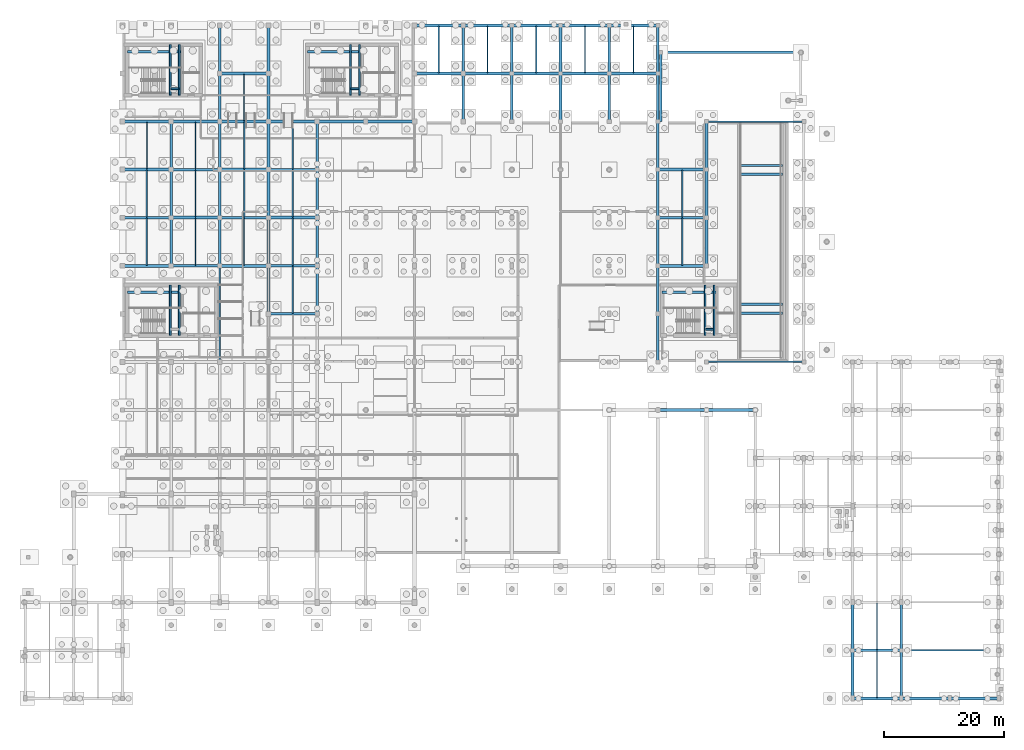
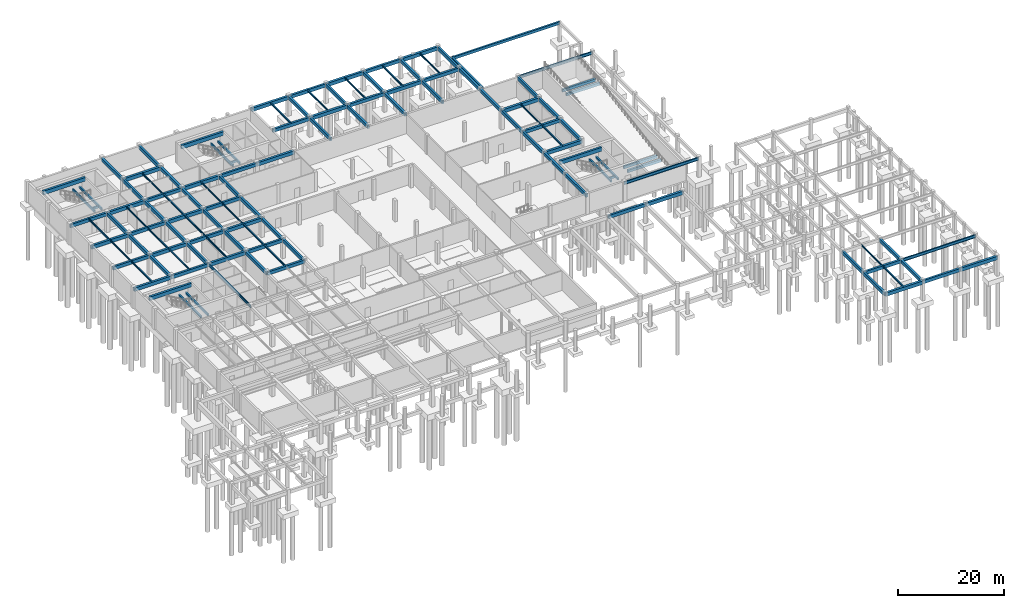
# One storey, part 12 of 25: 127 beams.
"""IFC4 building model written with IfcOpenShell, lengths in metres."""

from ifc_helpers import new_model, si_unit, direction, frame, origin, origin_2d, place, context, subcontext, project, spatial, rectangle, i_section, extrude, material, material_profile, profile_set, type_object, element, save


model = new_model("IFC4")

# Units and contexts
model_context = context("Model", 3, precision=1e-05, world=origin(), true_north=direction((0.0, 1.0)))
body_context = subcontext(model_context, "Body", "Model", "MODEL_VIEW")
ifc_project = project(units=[si_unit("LENGTHUNIT", "METRE"), si_unit("AREAUNIT", "SQUARE_METRE"), si_unit("VOLUMEUNIT", "CUBIC_METRE"), si_unit("PLANEANGLEUNIT", "RADIAN"), si_unit("MASSUNIT", "GRAM", prefix="KILO")], contexts=[model_context])

# Site, building, storey
site_placement = place(None, origin())
site = spatial("IfcSite", under=ifc_project, at=site_placement, CompositionType="ELEMENT")
building_placement = place(site_placement, origin())
building = spatial("IfcBuilding", under=site, at=building_placement, Name="Tarnveldt Square Police Headquarters", CompositionType="ELEMENT")
storey_placement = place(building_placement, frame((0.0, 0.0, -4.800048828125)))
storey = spatial("IfcBuildingStorey", under=building, at=storey_placement, Name="B1", CompositionType="ELEMENT", Elevation=-4.800048828125)

# Beams
ifc_material_1 = material(Name="Concrete 50 MPa", Category="concrete")
ifc_material_profile_1 = material_profile(ifc_material_1, rectangle(XDim=0.449951171875, YDim=0.85009765625, at=origin_2d()), Name="RC-CB450x850")
ifc_profile_set_1 = profile_set([ifc_material_profile_1], Name="Concrete 50 MPa")
beam_type_1 = type_object("IfcBeamType", Name="BM-CB450x850", PredefinedType="BEAM", material=ifc_profile_set_1)
for number, where, z_axis, x_axis, name in (
    (1, (17.0, 67.60009765625, 4.375), (1.0, 0.0, 0.0), (0.0, 1.0, 0.0), "Core K1 South-West Command and Firefighting Core B1 Ductile Coupling Beam"),
    (2, (17.0, 107.60009765625, 4.375), (1.0, 0.0, 0.0), (0.0, 1.0, 0.0), "Core K2 North-West Operations Core B1 Ductile Coupling Beam"),
    (3, (47.0, 107.60009765625, 4.375), (1.0, 0.0, 0.0), (0.0, 1.0, 0.0), "Core K3 North-Central Forensic and Firefighting Core B1 Ductile Coupling Beam"),
    (4, (106.0, 67.60009765625, 4.375), (1.0, 0.0, 0.0), (0.0, 1.0, 0.0), "Core K4 East Custody and Tactical Core B1 Ductile Coupling Beam"),
):
    element("IfcBeam", number, at=place(storey_placement, frame(where, z_axis=z_axis, x_axis=x_axis)), inside=storey, type_object=beam_type_1, Name=name, PredefinedType="BEAM", context=body_context, shape_type="SweptSolid", body=[
        extrude(rectangle(XDim=0.449951171875, YDim=0.85009765625, at=origin_2d()), origin(), (0.0, 0.0, 1.0), 9.14990234375),
    ])
ifc_material_2 = material(Name="Concrete 40 MPa", Category="concrete")
ifc_material_profile_2 = material_profile(ifc_material_2, rectangle(XDim=0.300048828125, YDim=0.5, at=origin_2d()), Name="RC-B300x500")
ifc_profile_set_2 = profile_set([ifc_material_profile_2], Name="Concrete 40 MPa")
beam_type_2 = type_object("IfcBeamType", Name="BM-RC300x500", PredefinedType="BEAM", material=ifc_profile_set_2)
for number, where, z_axis, x_axis, name in (
    (5, (24.14990234375, 60.39990234375, 1.949951171875), (0.0, 1.0, 0.0), (-1.0, 0.0, 0.0), "ST1 B1 Half-Landing Support Beam 1"),
    (6, (25.64990234375, 60.39990234375, 1.949951171875), (0.0, 1.0, 0.0), (-1.0, 0.0, 0.0), "ST1 B1 Half-Landing Transverse Support Beam"),
    (7, (24.14990234375, 100.39990234375, 1.949951171875), (0.0, 1.0, 0.0), (-1.0, 0.0, 0.0), "ST2 B1 Half-Landing Support Beam 1"),
):
    element("IfcBeam", number, at=place(storey_placement, frame(where, z_axis=z_axis, x_axis=x_axis)), inside=storey, type_object=beam_type_2, Name=name, PredefinedType="BEAM", context=body_context, shape_type="SweptSolid", body=[
        extrude(rectangle(XDim=0.300048828125, YDim=0.5, at=origin_2d()), origin(), (0.0, 0.0, 1.0), 8.400146484375),
    ])
beam_1_placement = place(storey_placement, frame((24.25, 101.449951171875, 1.949951171875), z_axis=(1.0, 0.0, 0.0), x_axis=(0.0, 1.0, 0.0)))
element("IfcBeam", 8, at=beam_1_placement, inside=storey, type_object=beam_type_2, Name="ST2 B1 Half-Landing Support Beam 2", PredefinedType="BEAM", context=body_context, shape_type="SweptSolid", body=[
    extrude(rectangle(XDim=0.300048828125, YDim=0.5, at=origin_2d()), origin(), (0.0, 0.0, 1.0), 1.300048828125),
])
for number, where, z_axis, x_axis, name in (
    (9, (25.64990234375, 100.39990234375, 1.949951171875), (0.0, 1.0, 0.0), (-1.0, 0.0, 0.0), "ST2 B1 Half-Landing Transverse Support Beam"),
    (10, (54.14990234375, 100.39990234375, 1.949951171875), (0.0, 1.0, 0.0), (-1.0, 0.0, 0.0), "ST3 B1 Half-Landing Support Beam 1"),
):
    element("IfcBeam", number, at=place(storey_placement, frame(where, z_axis=z_axis, x_axis=x_axis)), inside=storey, type_object=beam_type_2, Name=name, PredefinedType="BEAM", context=body_context, shape_type="SweptSolid", body=[
        extrude(rectangle(XDim=0.300048828125, YDim=0.5, at=origin_2d()), origin(), (0.0, 0.0, 1.0), 8.400146484375),
    ])
beam_2_placement = place(storey_placement, frame((54.25, 101.449951171875, 1.949951171875), z_axis=(1.0, 0.0, 0.0), x_axis=(0.0, 1.0, 0.0)))
element("IfcBeam", 11, at=beam_2_placement, inside=storey, type_object=beam_type_2, Name="ST3 B1 Half-Landing Support Beam 2", PredefinedType="BEAM", context=body_context, shape_type="SweptSolid", body=[
    extrude(rectangle(XDim=0.300048828125, YDim=0.5, at=origin_2d()), origin(), (0.0, 0.0, 1.0), 1.300048828125),
])
for number, where, z_axis, x_axis, name in (
    (12, (55.64990234375, 100.39990234375, 1.949951171875), (0.0, 1.0, 0.0), (-1.0, 0.0, 0.0), "ST3 B1 Half-Landing Transverse Support Beam"),
    (13, (113.14990234375, 60.39990234375, 1.949951171875), (0.0, 1.0, 0.0), (-1.0, 0.0, 0.0), "ST4 B1 Half-Landing Support Beam 1"),
):
    element("IfcBeam", number, at=place(storey_placement, frame(where, z_axis=z_axis, x_axis=x_axis)), inside=storey, type_object=beam_type_2, Name=name, PredefinedType="BEAM", context=body_context, shape_type="SweptSolid", body=[
        extrude(rectangle(XDim=0.300048828125, YDim=0.5, at=origin_2d()), origin(), (0.0, 0.0, 1.0), 8.400146484375),
    ])
beam_3_placement = place(storey_placement, frame((113.25, 61.449951171875, 1.949951171875), z_axis=(1.0, 0.0, 0.0), x_axis=(0.0, 1.0, 0.0)))
element("IfcBeam", 14, at=beam_3_placement, inside=storey, type_object=beam_type_2, Name="ST4 B1 Half-Landing Support Beam 2", PredefinedType="BEAM", context=body_context, shape_type="SweptSolid", body=[
    extrude(rectangle(XDim=0.300048828125, YDim=0.5, at=origin_2d()), origin(), (0.0, 0.0, 1.0), 1.300048828125),
])
beam_4_placement = place(storey_placement, frame((114.64990234375, 60.39990234375, 1.949951171875), z_axis=(0.0, 1.0, 0.0), x_axis=(-1.0, 0.0, 0.0)))
element("IfcBeam", 15, at=beam_4_placement, inside=storey, type_object=beam_type_2, Name="ST4 B1 Half-Landing Transverse Support Beam", PredefinedType="BEAM", context=body_context, shape_type="SweptSolid", body=[
    extrude(rectangle(XDim=0.300048828125, YDim=0.5, at=origin_2d()), origin(), (0.0, 0.0, 1.0), 8.400146484375),
])
ifc_material_profile_3 = material_profile(ifc_material_2, rectangle(XDim=0.39990234375, YDim=0.60009765625, at=origin_2d()), Name="RC-B400x600")
ifc_profile_set_3 = profile_set([ifc_material_profile_3], Name="Concrete 40 MPa")
beam_type_3 = type_object("IfcBeamType", Name="BM-RC400x600", PredefinedType="BEAM", material=ifc_profile_set_3)
for number, where, z_axis, x_axis, name in (
    (16, (118.77490234375, 87.199951171875, 3.64013671875), (1.0, 0.0, 0.0), (0.0, 1.0, 0.0), "Vehicle Ramp VR1 Landing Beam T1"),
    (17, (118.77490234375, 88.679931640625, 3.64013671875), (1.0, 0.0, 0.0), (0.0, 1.0, 0.0), "Vehicle Ramp VR1 Landing Beam T1"),
    (18, (118.77490234375, 64.1201171875, 0.0400390625), (1.0, 0.0, 0.0), (0.0, 1.0, 0.0), "Vehicle Ramp VR1 Landing Beam T2"),
    (19, (118.77490234375, 65.60009765625, 0.0400390625), (1.0, 0.0, 0.0), (0.0, 1.0, 0.0), "Vehicle Ramp VR1 Landing Beam T2"),
):
    element("IfcBeam", number, at=place(storey_placement, frame(where, z_axis=z_axis, x_axis=x_axis)), inside=storey, type_object=beam_type_3, Name=name, PredefinedType="BEAM", context=body_context, shape_type="SweptSolid", body=[
        extrude(rectangle(XDim=0.39990234375, YDim=0.60009765625, at=origin_2d()), origin(), (0.0, 0.0, 1.0), 7.25),
    ])
beam_5_placement = place(storey_placement, frame((105.800048828125, 107.5, 4.2099609375), z_axis=(1.0, 0.0, 0.0), x_axis=(0.0, 1.0, 0.0)))
element("IfcBeam", 20, at=beam_5_placement, inside=storey, type_object=beam_type_3, Name="Apron Support Girder N", PredefinedType="BEAM", context=body_context, shape_type="SweptSolid", body=[
    extrude(rectangle(XDim=0.39990234375, YDim=0.60009765625, at=origin_2d()), origin(), (0.0, 0.0, 1.0), 23.300048828125),
])
beam_6_placement = place(storey_placement, frame((105.800048828125, 96.0, 4.2099609375), z_axis=(0.0, 1.0, 0.0), x_axis=(-1.0, 0.0, 0.0)))
element("IfcBeam", 21, at=beam_6_placement, inside=storey, type_object=beam_type_3, Name="Apron Support Girder W", PredefinedType="BEAM", context=body_context, shape_type="SweptSolid", body=[
    extrude(rectangle(XDim=0.39990234375, YDim=0.60009765625, at=origin_2d()), origin(), (0.0, 0.0, 1.0), 11.5),
])
ifc_material_profile_4 = material_profile(ifc_material_2, rectangle(XDim=0.449951171875, YDim=0.75, at=origin_2d()), Name="RC-B450x750")
ifc_profile_set_4 = profile_set([ifc_material_profile_4], Name="Concrete 40 MPa")
beam_type_4 = type_object("IfcBeamType", Name="BM-RC450x750", PredefinedType="BEAM", material=ifc_profile_set_4)
beam_7_placement = place(storey_placement, frame((145.800048828125, 0.0, 4.074951171875), z_axis=(1.0, 0.0, 0.0), x_axis=(0.0, 1.0, 0.0)))
element("IfcBeam", 22, at=beam_7_placement, inside=storey, type_object=beam_type_4, Name="L00 Grid Girder X-0004", PredefinedType="BEAM", context=body_context, shape_type="SweptSolid", body=[
    extrude(rectangle(XDim=0.449951171875, YDim=0.75, at=origin_2d()), origin(), (0.0, 0.0, 1.0), 8.099853515625),
])
beam_8_placement = place(storey_placement, frame((137.699951171875, 8.0, 4.074951171875), z_axis=(1.0, 0.0, 0.0), x_axis=(0.0, 1.0, 0.0)))
element("IfcBeam", 23, at=beam_8_placement, inside=storey, type_object=beam_type_4, Name="L00 Grid Girder X-0008", PredefinedType="BEAM", context=body_context, shape_type="SweptSolid", body=[
    extrude(rectangle(XDim=0.449951171875, YDim=0.75, at=origin_2d()), origin(), (0.0, 0.0, 1.0), 8.10009765625),
])
beam_9_placement = place(storey_placement, frame((105.300048828125, 48.0, 4.074951171875), z_axis=(1.0, 0.0, 0.0), x_axis=(0.0, 1.0, 0.0)))
element("IfcBeam", 24, at=beam_9_placement, inside=storey, type_object=beam_type_4, Name="L00 Grid Girder X-0060", PredefinedType="BEAM", context=body_context, shape_type="SweptSolid", body=[
    extrude(rectangle(XDim=0.449951171875, YDim=0.75, at=origin_2d()), origin(), (0.0, 0.0, 1.0), 8.099853515625),
])
beam_10_placement = place(storey_placement, frame((40.5, 64.0, 4.074951171875), z_axis=(1.0, 0.0, 0.0), x_axis=(0.0, 1.0, 0.0)))
element("IfcBeam", 25, at=beam_10_placement, inside=storey, type_object=beam_type_4, Name="L00 Grid Girder X-0072", PredefinedType="BEAM", context=body_context, shape_type="SweptSolid", body=[
    extrude(rectangle(XDim=0.449951171875, YDim=0.75, at=origin_2d()), origin(), (0.0, 0.0, 1.0), 8.10009765625),
])
beam_11_placement = place(storey_placement, frame((24.300048828125, 72.0, 4.074951171875), z_axis=(1.0, 0.0, 0.0), x_axis=(0.0, 1.0, 0.0)))
element("IfcBeam", 26, at=beam_11_placement, inside=storey, type_object=beam_type_4, Name="L00 Grid Girder X-0074", PredefinedType="BEAM", context=body_context, shape_type="SweptSolid", body=[
    extrude(rectangle(XDim=0.449951171875, YDim=0.75, at=origin_2d()), origin(), (0.0, 0.0, 1.0), 8.099853515625),
])
for number, where, z_axis, x_axis, name in (
    (27, (40.5, 72.0, 4.074951171875), (1.0, 0.0, 0.0), (0.0, 1.0, 0.0), "L00 Grid Girder X-0076"),
    (28, (16.199951171875, 80.0, 4.074951171875), (1.0, 0.0, 0.0), (0.0, 1.0, 0.0), "L00 Grid Girder X-0078"),
    (29, (32.39990234375, 80.0, 4.074951171875), (1.0, 0.0, 0.0), (0.0, 1.0, 0.0), "L00 Grid Girder X-0080"),
):
    element("IfcBeam", number, at=place(storey_placement, frame(where, z_axis=z_axis, x_axis=x_axis)), inside=storey, type_object=beam_type_4, Name=name, PredefinedType="BEAM", context=body_context, shape_type="SweptSolid", body=[
        extrude(rectangle(XDim=0.449951171875, YDim=0.75, at=origin_2d()), origin(), (0.0, 0.0, 1.0), 8.10009765625),
    ])
for number, where, z_axis, x_axis, name in (
    (30, (105.300048828125, 80.0, 4.074951171875), (1.0, 0.0, 0.0), (0.0, 1.0, 0.0), "L00 Grid Girder X-0082"),
    (31, (24.300048828125, 88.0, 4.074951171875), (1.0, 0.0, 0.0), (0.0, 1.0, 0.0), "L00 Grid Girder X-0084"),
):
    element("IfcBeam", number, at=place(storey_placement, frame(where, z_axis=z_axis, x_axis=x_axis)), inside=storey, type_object=beam_type_4, Name=name, PredefinedType="BEAM", context=body_context, shape_type="SweptSolid", body=[
        extrude(rectangle(XDim=0.449951171875, YDim=0.75, at=origin_2d()), origin(), (0.0, 0.0, 1.0), 8.099853515625),
    ])
for number, where, z_axis, x_axis, name in (
    (32, (40.5, 88.0, 4.074951171875), (1.0, 0.0, 0.0), (0.0, 1.0, 0.0), "L00 Grid Girder X-0086"),
    (33, (16.199951171875, 96.0, 4.074951171875), (1.0, 0.0, 0.0), (0.0, 1.0, 0.0), "L00 Grid Girder X-0088"),
    (34, (32.39990234375, 96.0, 4.074951171875), (1.0, 0.0, 0.0), (0.0, 1.0, 0.0), "L00 Grid Girder X-0090"),
):
    element("IfcBeam", number, at=place(storey_placement, frame(where, z_axis=z_axis, x_axis=x_axis)), inside=storey, type_object=beam_type_4, Name=name, PredefinedType="BEAM", context=body_context, shape_type="SweptSolid", body=[
        extrude(rectangle(XDim=0.449951171875, YDim=0.75, at=origin_2d()), origin(), (0.0, 0.0, 1.0), 8.10009765625),
    ])
for number, where, z_axis, x_axis, name in (
    (35, (48.60009765625, 96.0, 4.074951171875), (1.0, 0.0, 0.0), (0.0, 1.0, 0.0), "L00 Grid Girder X-0092"),
    (36, (64.800048828125, 104.0, 4.074951171875), (1.0, 0.0, 0.0), (0.0, 1.0, 0.0), "L00 Grid Girder X-0096"),
):
    element("IfcBeam", number, at=place(storey_placement, frame(where, z_axis=z_axis, x_axis=x_axis)), inside=storey, type_object=beam_type_4, Name=name, PredefinedType="BEAM", context=body_context, shape_type="SweptSolid", body=[
        extrude(rectangle(XDim=0.449951171875, YDim=0.75, at=origin_2d()), origin(), (0.0, 0.0, 1.0), 8.099853515625),
    ])
for number, where, z_axis, x_axis, name in (
    (37, (81.0, 104.0, 4.074951171875), (1.0, 0.0, 0.0), (0.0, 1.0, 0.0), "L00 Grid Girder X-0098"),
    (38, (97.199951171875, 104.0, 4.074951171875), (1.0, 0.0, 0.0), (0.0, 1.0, 0.0), "L00 Grid Girder X-0100"),
    (39, (72.89990234375, 112.0, 4.074951171875), (1.0, 0.0, 0.0), (0.0, 1.0, 0.0), "L00 Grid Girder X-0102"),
):
    element("IfcBeam", number, at=place(storey_placement, frame(where, z_axis=z_axis, x_axis=x_axis)), inside=storey, type_object=beam_type_4, Name=name, PredefinedType="BEAM", context=body_context, shape_type="SweptSolid", body=[
        extrude(rectangle(XDim=0.449951171875, YDim=0.75, at=origin_2d()), origin(), (0.0, 0.0, 1.0), 8.10009765625),
    ])
beam_12_placement = place(storey_placement, frame((89.10009765625, 112.0, 4.074951171875), z_axis=(1.0, 0.0, 0.0), x_axis=(0.0, 1.0, 0.0)))
element("IfcBeam", 40, at=beam_12_placement, inside=storey, type_object=beam_type_4, Name="L00 Grid Girder X-0104", PredefinedType="BEAM", context=body_context, shape_type="SweptSolid", body=[
    extrude(rectangle(XDim=0.449951171875, YDim=0.75, at=origin_2d()), origin(), (0.0, 0.0, 1.0), 8.099853515625),
])
for number, where, z_axis, x_axis, name in (
    (41, (24.300048828125, 72.0, 4.074951171875), (0.0, 1.0, 0.0), (-1.0, 0.0, 0.0), "L00 Grid Girder Y-0118"),
    (42, (24.300048828125, 80.0, 4.074951171875), (0.0, 1.0, 0.0), (-1.0, 0.0, 0.0), "L00 Grid Girder Y-0119"),
    (43, (24.300048828125, 88.0, 4.074951171875), (0.0, 1.0, 0.0), (-1.0, 0.0, 0.0), "L00 Grid Girder Y-0120"),
    (44, (32.39990234375, 72.0, 4.074951171875), (0.0, 1.0, 0.0), (-1.0, 0.0, 0.0), "L00 Grid Girder Y-0130"),
    (45, (32.39990234375, 80.0, 4.074951171875), (0.0, 1.0, 0.0), (-1.0, 0.0, 0.0), "L00 Grid Girder Y-0131"),
    (46, (32.39990234375, 88.0, 4.074951171875), (0.0, 1.0, 0.0), (-1.0, 0.0, 0.0), "L00 Grid Girder Y-0132"),
    (47, (32.39990234375, 96.0, 4.074951171875), (0.0, 1.0, 0.0), (-1.0, 0.0, 0.0), "L00 Grid Girder Y-0133"),
    (48, (32.39990234375, 104.0, 4.074951171875), (0.0, 1.0, 0.0), (-1.0, 0.0, 0.0), "L00 Grid Girder Y-0134"),
    (49, (40.5, 64.0, 4.074951171875), (0.0, 1.0, 0.0), (-1.0, 0.0, 0.0), "L00 Grid Girder Y-0142"),
    (50, (40.5, 72.0, 4.074951171875), (0.0, 1.0, 0.0), (-1.0, 0.0, 0.0), "L00 Grid Girder Y-0143"),
    (51, (40.5, 80.0, 4.074951171875), (0.0, 1.0, 0.0), (-1.0, 0.0, 0.0), "L00 Grid Girder Y-0144"),
    (52, (40.5, 88.0, 4.074951171875), (0.0, 1.0, 0.0), (-1.0, 0.0, 0.0), "L00 Grid Girder Y-0145"),
    (53, (40.5, 96.0, 4.074951171875), (0.0, 1.0, 0.0), (-1.0, 0.0, 0.0), "L00 Grid Girder Y-0146"),
    (54, (40.5, 104.0, 4.074951171875), (0.0, 1.0, 0.0), (-1.0, 0.0, 0.0), "L00 Grid Girder Y-0147"),
    (55, (48.60009765625, 64.0, 4.074951171875), (0.0, 1.0, 0.0), (-1.0, 0.0, 0.0), "L00 Grid Girder Y-0153"),
    (56, (48.60009765625, 72.0, 4.074951171875), (0.0, 1.0, 0.0), (-1.0, 0.0, 0.0), "L00 Grid Girder Y-0154"),
    (57, (48.60009765625, 80.0, 4.074951171875), (0.0, 1.0, 0.0), (-1.0, 0.0, 0.0), "L00 Grid Girder Y-0155"),
    (58, (48.60009765625, 88.0, 4.074951171875), (0.0, 1.0, 0.0), (-1.0, 0.0, 0.0), "L00 Grid Girder Y-0156"),
    (59, (72.89990234375, 96.0, 4.074951171875), (0.0, 1.0, 0.0), (-1.0, 0.0, 0.0), "L00 Grid Girder Y-0164"),
    (60, (72.89990234375, 104.0, 4.074951171875), (0.0, 1.0, 0.0), (-1.0, 0.0, 0.0), "L00 Grid Girder Y-0165"),
    (61, (81.0, 96.0, 4.074951171875), (0.0, 1.0, 0.0), (-1.0, 0.0, 0.0), "L00 Grid Girder Y-0167"),
    (62, (81.0, 104.0, 4.074951171875), (0.0, 1.0, 0.0), (-1.0, 0.0, 0.0), "L00 Grid Girder Y-0168"),
    (63, (89.10009765625, 96.0, 4.074951171875), (0.0, 1.0, 0.0), (-1.0, 0.0, 0.0), "L00 Grid Girder Y-0169"),
    (64, (89.10009765625, 104.0, 4.074951171875), (0.0, 1.0, 0.0), (-1.0, 0.0, 0.0), "L00 Grid Girder Y-0170"),
    (65, (97.199951171875, 96.0, 4.074951171875), (0.0, 1.0, 0.0), (-1.0, 0.0, 0.0), "L00 Grid Girder Y-0172"),
    (66, (97.199951171875, 104.0, 4.074951171875), (0.0, 1.0, 0.0), (-1.0, 0.0, 0.0), "L00 Grid Girder Y-0173"),
    (67, (105.300048828125, 56.0, 4.074951171875), (0.0, 1.0, 0.0), (-1.0, 0.0, 0.0), "L00 Grid Girder Y-0175"),
    (68, (105.300048828125, 64.0, 4.074951171875), (0.0, 1.0, 0.0), (-1.0, 0.0, 0.0), "L00 Grid Girder Y-0176"),
    (69, (105.300048828125, 72.0, 4.074951171875), (0.0, 1.0, 0.0), (-1.0, 0.0, 0.0), "L00 Grid Girder Y-0177"),
    (70, (105.300048828125, 80.0, 4.074951171875), (0.0, 1.0, 0.0), (-1.0, 0.0, 0.0), "L00 Grid Girder Y-0178"),
    (71, (105.300048828125, 88.0, 4.074951171875), (0.0, 1.0, 0.0), (-1.0, 0.0, 0.0), "L00 Grid Girder Y-0179"),
    (72, (105.300048828125, 96.0, 4.074951171875), (0.0, 1.0, 0.0), (-1.0, 0.0, 0.0), "L00 Grid Girder Y-0180"),
    (73, (105.300048828125, 104.0, 4.074951171875), (0.0, 1.0, 0.0), (-1.0, 0.0, 0.0), "L00 Grid Girder Y-0181"),
    (74, (113.39990234375, 72.0, 4.074951171875), (0.0, 1.0, 0.0), (-1.0, 0.0, 0.0), "L00 Grid Girder Y-0183"),
    (75, (113.39990234375, 80.0, 4.074951171875), (0.0, 1.0, 0.0), (-1.0, 0.0, 0.0), "L00 Grid Girder Y-0184"),
    (76, (113.39990234375, 88.0, 4.074951171875), (0.0, 1.0, 0.0), (-1.0, 0.0, 0.0), "L00 Grid Girder Y-0185"),
    (77, (137.699951171875, 0.0, 4.074951171875), (0.0, 1.0, 0.0), (-1.0, 0.0, 0.0), "L00 Grid Girder Y-0199"),
    (78, (137.699951171875, 8.0, 4.074951171875), (0.0, 1.0, 0.0), (-1.0, 0.0, 0.0), "L00 Grid Girder Y-0200"),
    (79, (145.800048828125, 0.0, 4.074951171875), (0.0, 1.0, 0.0), (-1.0, 0.0, 0.0), "L00 Grid Girder Y-0206"),
    (80, (145.800048828125, 8.0, 4.074951171875), (0.0, 1.0, 0.0), (-1.0, 0.0, 0.0), "L00 Grid Girder Y-0207"),
):
    element("IfcBeam", number, at=place(storey_placement, frame(where, z_axis=z_axis, x_axis=x_axis)), inside=storey, type_object=beam_type_4, Name=name, PredefinedType="BEAM", context=body_context, shape_type="SweptSolid", body=[
        extrude(rectangle(XDim=0.449951171875, YDim=0.75, at=origin_2d()), origin(), (0.0, 0.0, 1.0), 8.0),
    ])
ifc_material_profile_5 = material_profile(ifc_material_2, rectangle(XDim=0.5, YDim=0.800048828125, at=origin_2d()), Name="RC-B500x800")
ifc_profile_set_5 = profile_set([ifc_material_profile_5], Name="Concrete 40 MPa")
beam_type_5 = type_object("IfcBeamType", Name="BM-RC500x800", PredefinedType="BEAM", material=ifc_profile_set_5)
for number, where, z_axis, x_axis, name in (
    (81, (137.699951171875, 0.0, 4.050048828125), (1.0, 0.0, 0.0), (0.0, 1.0, 0.0), "L00 Grid Girder X-0003"),
    (82, (153.89990234375, 0.0, 4.050048828125), (1.0, 0.0, 0.0), (0.0, 1.0, 0.0), "L00 Grid Girder X-0005"),
    (83, (113.39990234375, 48.0, 4.050048828125), (1.0, 0.0, 0.0), (0.0, 1.0, 0.0), "L00 Grid Girder X-0061"),
    (84, (16.199951171875, 72.0, 4.050048828125), (1.0, 0.0, 0.0), (0.0, 1.0, 0.0), "L00 Grid Girder X-0073"),
    (85, (32.39990234375, 72.0, 4.050048828125), (1.0, 0.0, 0.0), (0.0, 1.0, 0.0), "L00 Grid Girder X-0075"),
):
    element("IfcBeam", number, at=place(storey_placement, frame(where, z_axis=z_axis, x_axis=x_axis)), inside=storey, type_object=beam_type_5, Name=name, PredefinedType="BEAM", context=body_context, shape_type="SweptSolid", body=[
        extrude(rectangle(XDim=0.5, YDim=0.800048828125, at=origin_2d()), origin(), (0.0, 0.0, 1.0), 8.10009765625),
    ])
for number, where, z_axis, x_axis, name in (
    (86, (105.300048828125, 72.0, 4.050048828125), (1.0, 0.0, 0.0), (0.0, 1.0, 0.0), "L00 Grid Girder X-0077"),
    (87, (24.300048828125, 80.0, 4.050048828125), (1.0, 0.0, 0.0), (0.0, 1.0, 0.0), "L00 Grid Girder X-0079"),
):
    element("IfcBeam", number, at=place(storey_placement, frame(where, z_axis=z_axis, x_axis=x_axis)), inside=storey, type_object=beam_type_5, Name=name, PredefinedType="BEAM", context=body_context, shape_type="SweptSolid", body=[
        extrude(rectangle(XDim=0.5, YDim=0.800048828125, at=origin_2d()), origin(), (0.0, 0.0, 1.0), 8.099853515625),
    ])
for number, where, z_axis, x_axis, name in (
    (88, (40.5, 80.0, 4.050048828125), (1.0, 0.0, 0.0), (0.0, 1.0, 0.0), "L00 Grid Girder X-0081"),
    (89, (16.199951171875, 88.0, 4.050048828125), (1.0, 0.0, 0.0), (0.0, 1.0, 0.0), "L00 Grid Girder X-0083"),
    (90, (32.39990234375, 88.0, 4.050048828125), (1.0, 0.0, 0.0), (0.0, 1.0, 0.0), "L00 Grid Girder X-0085"),
):
    element("IfcBeam", number, at=place(storey_placement, frame(where, z_axis=z_axis, x_axis=x_axis)), inside=storey, type_object=beam_type_5, Name=name, PredefinedType="BEAM", context=body_context, shape_type="SweptSolid", body=[
        extrude(rectangle(XDim=0.5, YDim=0.800048828125, at=origin_2d()), origin(), (0.0, 0.0, 1.0), 8.10009765625),
    ])
for number, where, z_axis, x_axis, name in (
    (91, (105.300048828125, 88.0, 4.050048828125), (1.0, 0.0, 0.0), (0.0, 1.0, 0.0), "L00 Grid Girder X-0087"),
    (92, (24.300048828125, 96.0, 4.050048828125), (1.0, 0.0, 0.0), (0.0, 1.0, 0.0), "L00 Grid Girder X-0089"),
):
    element("IfcBeam", number, at=place(storey_placement, frame(where, z_axis=z_axis, x_axis=x_axis)), inside=storey, type_object=beam_type_5, Name=name, PredefinedType="BEAM", context=body_context, shape_type="SweptSolid", body=[
        extrude(rectangle(XDim=0.5, YDim=0.800048828125, at=origin_2d()), origin(), (0.0, 0.0, 1.0), 8.099853515625),
    ])
for number, where, z_axis, x_axis, name in (
    (93, (40.5, 96.0, 4.050048828125), (1.0, 0.0, 0.0), (0.0, 1.0, 0.0), "L00 Grid Girder X-0091"),
    (94, (56.699951171875, 96.0, 4.050048828125), (1.0, 0.0, 0.0), (0.0, 1.0, 0.0), "L00 Grid Girder X-0093"),
    (95, (32.39990234375, 104.0, 4.050048828125), (1.0, 0.0, 0.0), (0.0, 1.0, 0.0), "L00 Grid Girder X-0095"),
    (96, (72.89990234375, 104.0, 4.050048828125), (1.0, 0.0, 0.0), (0.0, 1.0, 0.0), "L00 Grid Girder X-0097"),
):
    element("IfcBeam", number, at=place(storey_placement, frame(where, z_axis=z_axis, x_axis=x_axis)), inside=storey, type_object=beam_type_5, Name=name, PredefinedType="BEAM", context=body_context, shape_type="SweptSolid", body=[
        extrude(rectangle(XDim=0.5, YDim=0.800048828125, at=origin_2d()), origin(), (0.0, 0.0, 1.0), 8.10009765625),
    ])
for number, where, z_axis, x_axis, name in (
    (97, (89.10009765625, 104.0, 4.050048828125), (1.0, 0.0, 0.0), (0.0, 1.0, 0.0), "L00 Grid Girder X-0099"),
    (98, (64.800048828125, 112.0, 4.050048828125), (1.0, 0.0, 0.0), (0.0, 1.0, 0.0), "L00 Grid Girder X-0101"),
):
    element("IfcBeam", number, at=place(storey_placement, frame(where, z_axis=z_axis, x_axis=x_axis)), inside=storey, type_object=beam_type_5, Name=name, PredefinedType="BEAM", context=body_context, shape_type="SweptSolid", body=[
        extrude(rectangle(XDim=0.5, YDim=0.800048828125, at=origin_2d()), origin(), (0.0, 0.0, 1.0), 8.099853515625),
    ])
for number, where, z_axis, x_axis, name in (
    (99, (81.0, 112.0, 4.050048828125), (1.0, 0.0, 0.0), (0.0, 1.0, 0.0), "L00 Grid Girder X-0103"),
    (100, (97.199951171875, 112.0, 4.050048828125), (1.0, 0.0, 0.0), (0.0, 1.0, 0.0), "L00 Grid Girder X-0105"),
):
    element("IfcBeam", number, at=place(storey_placement, frame(where, z_axis=z_axis, x_axis=x_axis)), inside=storey, type_object=beam_type_5, Name=name, PredefinedType="BEAM", context=body_context, shape_type="SweptSolid", body=[
        extrude(rectangle(XDim=0.5, YDim=0.800048828125, at=origin_2d()), origin(), (0.0, 0.0, 1.0), 8.10009765625),
    ])
ifc_material_3 = material(Name="Steel 350W", Category="steel")
ifc_material_profile_6 = material_profile(ifc_material_3, i_section(OverallWidth=0.202880859375, OverallDepth=0.302978515625, WebThickness=0.007568359375, FlangeThickness=0.01318359375, FilletRadius=0.014892578125, at=origin_2d()), Name="W310x60")
ifc_profile_set_6 = profile_set([ifc_material_profile_6], Name="Steel 350W")
beam_type_6 = type_object("IfcBeamType", Name="BM-W310x60", PredefinedType="JOIST", material=ifc_profile_set_6)
for number, where, z_axis, x_axis, name in (
    (101, (28.35009765625, 72.080078125, 4.298583984375), (0.0, 1.0, 0.0), (-1.0, 0.0, 0.0), "L00 Secondary Floor Joist 0028"),
    (102, (20.25, 80.080078125, 4.298583984375), (0.0, 1.0, 0.0), (-1.0, 0.0, 0.0), "L00 Secondary Floor Joist 0032"),
    (103, (109.35009765625, 80.080078125, 4.298583984375), (0.0, 1.0, 0.0), (-1.0, 0.0, 0.0), "L00 Secondary Floor Joist 0036"),
    (104, (44.550048828125, 88.080078125, 4.298583984375), (0.0, 1.0, 0.0), (-1.0, 0.0, 0.0), "L00 Secondary Floor Joist 0040"),
    (105, (85.050048828125, 104.080078125, 4.298583984375), (0.0, 1.0, 0.0), (-1.0, 0.0, 0.0), "L00 Secondary Floor Joist 0044"),
):
    element("IfcBeam", number, at=place(storey_placement, frame(where, z_axis=z_axis, x_axis=x_axis)), inside=storey, type_object=beam_type_6, Name=name, PredefinedType="JOIST", context=body_context, shape_type="SweptSolid", body=[
        extrude(i_section(OverallWidth=0.202880859375, OverallDepth=0.302978515625, WebThickness=0.007568359375, FlangeThickness=0.01318359375, FilletRadius=0.014892578125, at=origin_2d()), origin(), (0.0, 0.0, 1.0), 7.83984375),
    ])
ifc_material_profile_7 = material_profile(ifc_material_3, i_section(OverallWidth=0.202880859375, OverallDepth=0.346923828125, WebThickness=0.0078125, FlangeThickness=0.013427734375, FilletRadius=0.01611328125, at=origin_2d()), Name="W360x64")
ifc_profile_set_7 = profile_set([ifc_material_profile_7], Name="Steel 350W")
beam_type_7 = type_object("IfcBeamType", Name="BM-W360x64", PredefinedType="JOIST", material=ifc_profile_set_7)
for number, where, z_axis, x_axis, name in (
    (106, (141.75, 0.080078125, 4.276611328125), (0.0, 1.0, 0.0), (-1.0, 0.0, 0.0), "L00 Secondary Floor Joist 0003"),
    (107, (20.25, 72.080078125, 4.276611328125), (0.0, 1.0, 0.0), (-1.0, 0.0, 0.0), "L00 Secondary Floor Joist 0027"),
    (108, (109.35009765625, 72.080078125, 4.276611328125), (0.0, 1.0, 0.0), (-1.0, 0.0, 0.0), "L00 Secondary Floor Joist 0031"),
    (109, (44.550048828125, 80.080078125, 4.276611328125), (0.0, 1.0, 0.0), (-1.0, 0.0, 0.0), "L00 Secondary Floor Joist 0035"),
    (110, (36.449951171875, 88.080078125, 4.276611328125), (0.0, 1.0, 0.0), (-1.0, 0.0, 0.0), "L00 Secondary Floor Joist 0039"),
    (111, (76.949951171875, 104.080078125, 4.276611328125), (0.0, 1.0, 0.0), (-1.0, 0.0, 0.0), "L00 Secondary Floor Joist 0043"),
):
    element("IfcBeam", number, at=place(storey_placement, frame(where, z_axis=z_axis, x_axis=x_axis)), inside=storey, type_object=beam_type_7, Name=name, PredefinedType="JOIST", context=body_context, shape_type="SweptSolid", body=[
        extrude(i_section(OverallWidth=0.202880859375, OverallDepth=0.346923828125, WebThickness=0.0078125, FlangeThickness=0.013427734375, FilletRadius=0.01611328125, at=origin_2d()), origin(), (0.0, 0.0, 1.0), 7.83984375),
    ])
ifc_material_profile_8 = material_profile(ifc_material_3, i_section(OverallWidth=0.205078125, OverallDepth=0.35400390625, WebThickness=0.009521484375, FlangeThickness=0.016845703125, FilletRadius=0.01611328125, at=origin_2d()), Name="W360x79")
ifc_profile_set_8 = profile_set([ifc_material_profile_8], Name="Steel 350W")
beam_type_8 = type_object("IfcBeamType", Name="BM-W360x79", PredefinedType="JOIST", material=ifc_profile_set_8)
for number, where, z_axis, x_axis, name in (
    (112, (141.75, 8.080078125, 4.27294921875), (0.0, 1.0, 0.0), (-1.0, 0.0, 0.0), "L00 Secondary Floor Joist 0006"),
    (113, (44.550048828125, 64.080078125, 4.27294921875), (0.0, 1.0, 0.0), (-1.0, 0.0, 0.0), "L00 Secondary Floor Joist 0026"),
    (114, (44.550048828125, 72.080078125, 4.27294921875), (0.0, 1.0, 0.0), (-1.0, 0.0, 0.0), "L00 Secondary Floor Joist 0030"),
    (115, (36.449951171875, 80.080078125, 4.27294921875), (0.0, 1.0, 0.0), (-1.0, 0.0, 0.0), "L00 Secondary Floor Joist 0034"),
    (116, (28.35009765625, 88.080078125, 4.27294921875), (0.0, 1.0, 0.0), (-1.0, 0.0, 0.0), "L00 Secondary Floor Joist 0038"),
    (117, (68.85009765625, 104.080078125, 4.27294921875), (0.0, 1.0, 0.0), (-1.0, 0.0, 0.0), "L00 Secondary Floor Joist 0042"),
    (118, (101.25, 104.080078125, 4.27294921875), (0.0, 1.0, 0.0), (-1.0, 0.0, 0.0), "L00 Secondary Floor Joist 0046"),
):
    element("IfcBeam", number, at=place(storey_placement, frame(where, z_axis=z_axis, x_axis=x_axis)), inside=storey, type_object=beam_type_8, Name=name, PredefinedType="JOIST", context=body_context, shape_type="SweptSolid", body=[
        extrude(i_section(OverallWidth=0.205078125, OverallDepth=0.35400390625, WebThickness=0.009521484375, FlangeThickness=0.016845703125, FilletRadius=0.01611328125, at=origin_2d()), origin(), (0.0, 0.0, 1.0), 7.83984375),
    ])
ifc_material_profile_9 = material_profile(ifc_material_3, i_section(OverallWidth=0.177978515625, OverallDepth=0.406982421875, WebThickness=0.0078125, FlangeThickness=0.0126953125, FilletRadius=0.01611328125, at=origin_2d()), Name="W410x60")
ifc_profile_set_9 = profile_set([ifc_material_profile_9], Name="Steel 350W")
beam_type_9 = type_object("IfcBeamType", Name="BM-W410x60", PredefinedType="JOIST", material=ifc_profile_set_9)
for number, where, z_axis, x_axis, name in (
    (119, (36.449951171875, 72.080078125, 4.24658203125), (0.0, 1.0, 0.0), (-1.0, 0.0, 0.0), "L00 Secondary Floor Joist 0029"),
    (120, (28.35009765625, 80.080078125, 4.24658203125), (0.0, 1.0, 0.0), (-1.0, 0.0, 0.0), "L00 Secondary Floor Joist 0033"),
    (121, (20.25, 88.080078125, 4.24658203125), (0.0, 1.0, 0.0), (-1.0, 0.0, 0.0), "L00 Secondary Floor Joist 0037"),
    (122, (36.449951171875, 96.080078125, 4.24658203125), (0.0, 1.0, 0.0), (-1.0, 0.0, 0.0), "L00 Secondary Floor Joist 0041"),
    (123, (93.14990234375, 104.080078125, 4.24658203125), (0.0, 1.0, 0.0), (-1.0, 0.0, 0.0), "L00 Secondary Floor Joist 0045"),
):
    element("IfcBeam", number, at=place(storey_placement, frame(where, z_axis=z_axis, x_axis=x_axis)), inside=storey, type_object=beam_type_9, Name=name, PredefinedType="JOIST", context=body_context, shape_type="SweptSolid", body=[
        extrude(i_section(OverallWidth=0.177978515625, OverallDepth=0.406982421875, WebThickness=0.0078125, FlangeThickness=0.0126953125, FilletRadius=0.01611328125, at=origin_2d()), origin(), (0.0, 0.0, 1.0), 7.83984375),
    ])
ifc_material_profile_10 = material_profile(ifc_material_3, i_section(OverallWidth=0.22900390625, OverallDepth=0.612060546875, WebThickness=0.011962890625, FlangeThickness=0.01953125, FilletRadius=0.01904296875, at=origin_2d()), Name="W610x125")
ifc_profile_set_10 = profile_set([ifc_material_profile_10], Name="Steel 350W")
beam_type_10 = type_object("IfcBeamType", Name="BM-W610x125", PredefinedType="BEAM", material=ifc_profile_set_10)
beam_13_placement = place(storey_placement, frame((32.39990234375, 56.0, 4.14404296875), z_axis=(0.0, 1.0, 0.0), x_axis=(-1.0, 0.0, 0.0)))
element("IfcBeam", 124, at=beam_13_placement, inside=storey, type_object=beam_type_10, Name="L00 Grid Girder Y-0129", PredefinedType="BEAM", context=body_context, shape_type="SweptSolid", body=[
    extrude(i_section(OverallWidth=0.22900390625, OverallDepth=0.612060546875, WebThickness=0.011962890625, FlangeThickness=0.01953125, FilletRadius=0.01904296875, at=origin_2d()), origin(), (0.0, 0.0, 1.0), 16.0),
])
ifc_material_profile_11 = material_profile(ifc_material_3, i_section(OverallWidth=0.25390625, OverallDepth=0.68798828125, WebThickness=0.01318359375, FlangeThickness=0.02099609375, FilletRadius=0.02001953125, at=origin_2d()), Name="W690x152")
ifc_profile_set_11 = profile_set([ifc_material_profile_11], Name="Steel 350W")
beam_type_11 = type_object("IfcBeamType", Name="BM-W690x152", PredefinedType="BEAM", material=ifc_profile_set_11)
beam_14_placement = place(storey_placement, frame((145.800048828125, 8.0, 4.10595703125), z_axis=(1.0, 0.0, 0.0), x_axis=(0.0, 1.0, 0.0)))
element("IfcBeam", 125, at=beam_14_placement, inside=storey, type_object=beam_type_11, Name="L00 Grid Girder X-0009", PredefinedType="BEAM", context=body_context, shape_type="SweptSolid", body=[
    extrude(i_section(OverallWidth=0.25390625, OverallDepth=0.68798828125, WebThickness=0.01318359375, FlangeThickness=0.02099609375, FilletRadius=0.02001953125, at=origin_2d()), origin(), (0.0, 0.0, 1.0), 16.199951171875),
])
for number, where, z_axis, x_axis, name in (
    (126, (113.39990234375, 56.0, 4.10595703125), (1.0, 0.0, 0.0), (0.0, 1.0, 0.0), "L00 Grid Girder X-0068"),
    (127, (113.39990234375, 96.0, 4.10595703125), (1.0, 0.0, 0.0), (0.0, 1.0, 0.0), "L00 Grid Girder X-0094"),
):
    element("IfcBeam", number, at=place(storey_placement, frame(where, z_axis=z_axis, x_axis=x_axis)), inside=storey, type_object=beam_type_11, Name=name, PredefinedType="BEAM", context=body_context, shape_type="SweptSolid", body=[
        extrude(i_section(OverallWidth=0.25390625, OverallDepth=0.68798828125, WebThickness=0.01318359375, FlangeThickness=0.02099609375, FilletRadius=0.02001953125, at=origin_2d()), origin(), (0.0, 0.0, 1.0), 16.2001953125),
    ])

save(model, "model.ifc")
